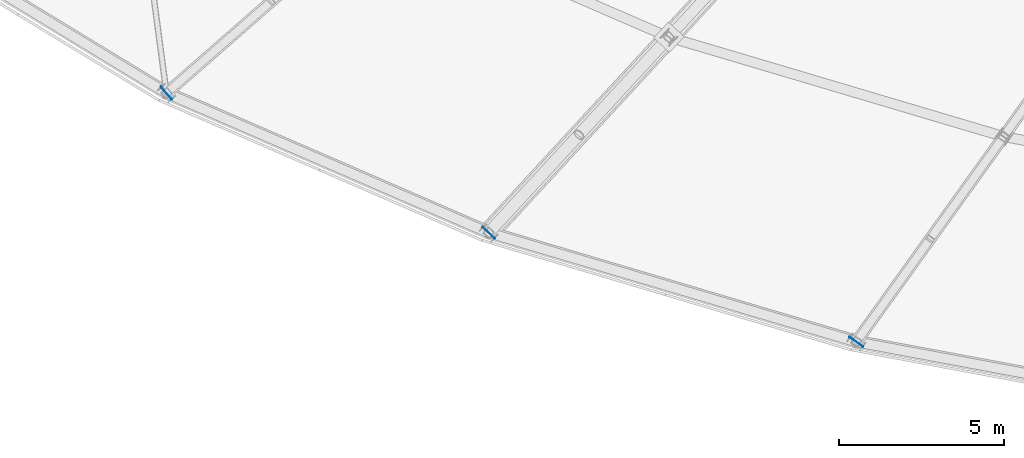
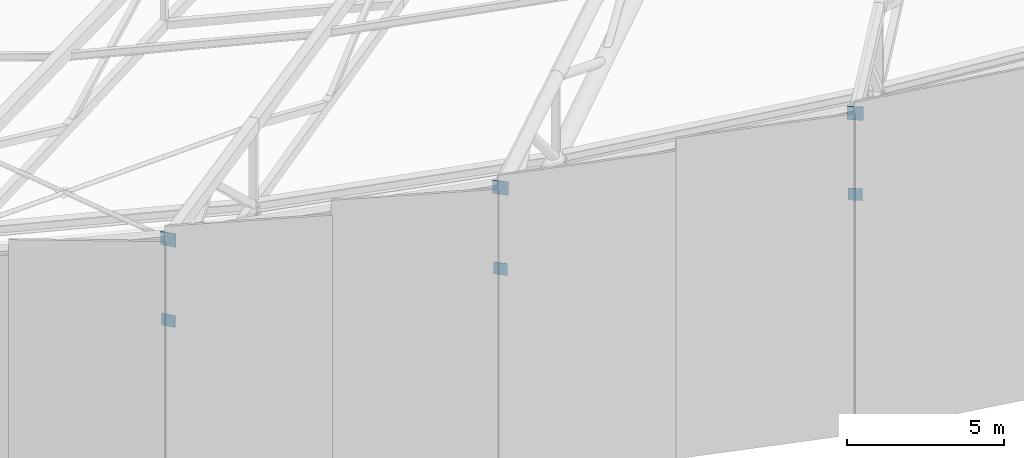
# One storey, part 108 of 143: 6 plates.
"""IFC4 building model written with IfcOpenShell, lengths in metres."""

from ifc_helpers import new_model, si_unit, direction, frame, origin, origin_2d, place, context, subcontext, project, spatial, rectangle, extrude, material, layer, layer_set, type_object, element, save


model = new_model("IFC4")

# Units and contexts
model_context = context("Model", 3, precision=1e-05, world=origin(), true_north=direction((0.0, 1.0)))
body_context = subcontext(model_context, "Body", "Model", "MODEL_VIEW")
ifc_project = project(units=[si_unit("LENGTHUNIT", "METRE"), si_unit("AREAUNIT", "SQUARE_METRE"), si_unit("VOLUMEUNIT", "CUBIC_METRE"), si_unit("PLANEANGLEUNIT", "RADIAN"), si_unit("MASSUNIT", "GRAM", prefix="KILO")], contexts=[model_context])

# Site, building, storey
site_placement = place(None, origin())
site = spatial("IfcSite", under=ifc_project, at=site_placement, CompositionType="ELEMENT")
building_placement = place(site_placement, origin())
building = spatial("IfcBuilding", under=site, at=building_placement, Name="Mphavela Belvedere Stadium", CompositionType="ELEMENT")
storey_placement = place(building_placement, frame((0.0, 0.0, 28.800048828125)))
storey = spatial("IfcBuildingStorey", under=building, at=storey_placement, Name="RF", CompositionType="ELEMENT", Elevation=28.800048828125)

# Plates
ifc_material_1 = material(Name="Steel S355", Category="steel")
ifc_layer_1 = layer(ifc_material_1, 0.01806640625)
ifc_layer_set_1 = layer_set([ifc_layer_1], Name="Steel S355")
plate_type_1 = type_object("IfcPlateType", Name="PLT-CAP-TRUSS-BC", PredefinedType="USERDEFINED", material=ifc_layer_set_1)
for number, where, z_axis, x_axis, name in (
    (1, (44.3037109375, 25.13916015625, 6.723388671875), (0.0, 0.0, 1.0), (-0.752529860433, -0.658558128912, 0.0), "Roof truss RT-32 hollow-end cap plate out_bc"),
    (2, (54.0625, 20.90869140625, 7.880859375), (0.0, 0.0, 1.0), (-0.677903094969, -0.735151272753, 0.0), "Roof truss RT-33 hollow-end cap plate out_bc"),
    (3, (65.19873046875, 17.60302734375, 8.875), (0.0, 0.0, 1.0), (-0.582974127943, -0.812490717577, 0.0), "Roof truss RT-34 hollow-end cap plate out_bc"),
):
    element("IfcPlate", number, at=place(storey_placement, frame(where, z_axis=z_axis, x_axis=x_axis)), inside=storey, type_object=plate_type_1, Name=name, ObjectType="GUSSET_PLATE", PredefinedType="USERDEFINED", context=body_context, shape_type="SweptSolid", body=[
        extrude(rectangle(XDim=0.01806640625, YDim=0.4599609375, at=origin_2d()), origin(), (0.0, 0.0, 1.0), 0.4599609375),
    ])
ifc_material_2 = material(Name="Steel S355", Category="steel")
ifc_layer_2 = layer(ifc_material_2, 0.02001953125)
ifc_layer_set_2 = layer_set([ifc_layer_2], Name="Steel S355")
plate_type_2 = type_object("IfcPlateType", Name="PLT-CAP-TRUSS-TC", PredefinedType="USERDEFINED", material=ifc_layer_set_2)
for number, where, z_axis, x_axis, name in (
    (4, (44.3037109375, 25.13916015625, 9.84326171875), (0.0, 0.0, 1.0), (-0.752529860433, -0.658558128912, 0.0), "Roof truss RT-32 hollow-end cap plate out_tc"),
    (5, (54.0625, 20.90869140625, 11.0009765625), (0.0, 0.0, 1.0), (-0.677903094969, -0.735151272753, 0.0), "Roof truss RT-33 hollow-end cap plate out_tc"),
    (6, (65.19873046875, 17.60302734375, 11.9951171875), (0.0, 0.0, 1.0), (-0.582974127943, -0.812490717577, 0.0), "Roof truss RT-34 hollow-end cap plate out_tc"),
):
    element("IfcPlate", number, at=place(storey_placement, frame(where, z_axis=z_axis, x_axis=x_axis)), inside=storey, type_object=plate_type_2, Name=name, ObjectType="GUSSET_PLATE", PredefinedType="USERDEFINED", context=body_context, shape_type="SweptSolid", body=[
        extrude(rectangle(XDim=0.02001953125, YDim=0.52001953125, at=origin_2d()), origin(), (0.0, 0.0, 1.0), 0.52001953125),
    ])

save(model, "model.ifc")
